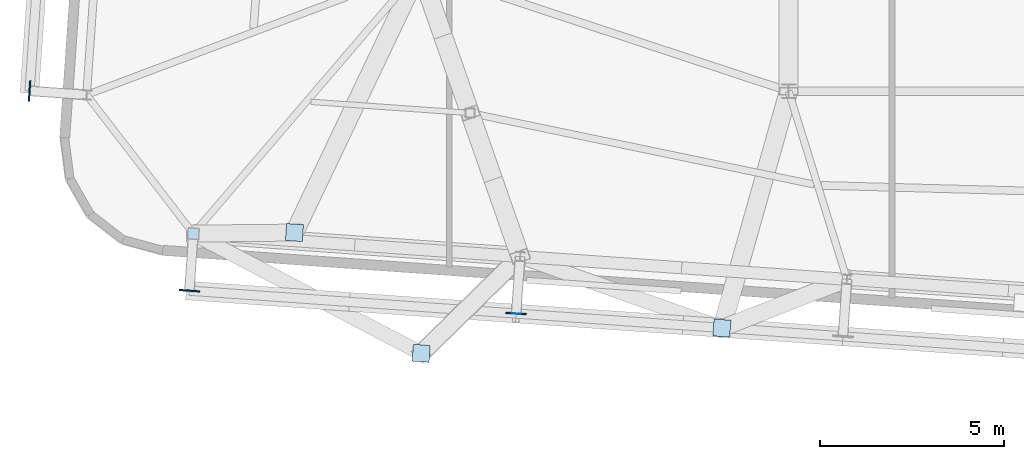
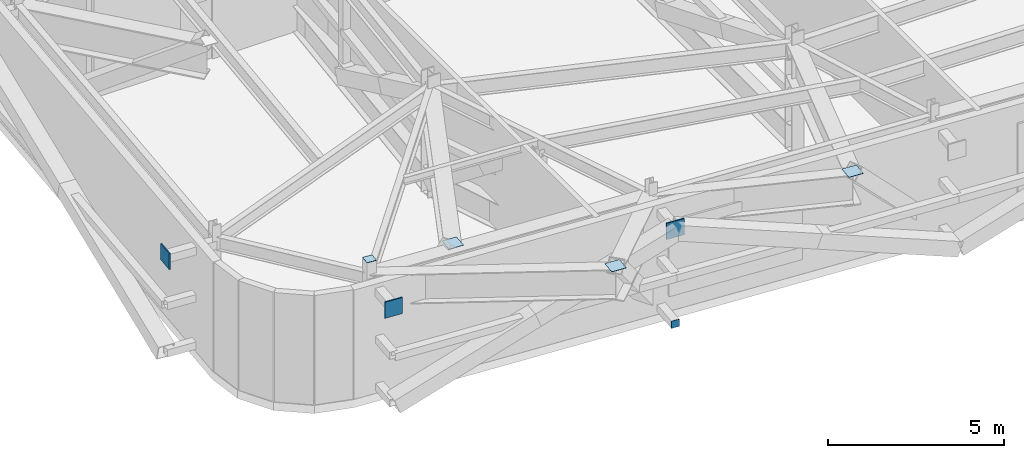
# One storey, part 13 of 24: 8 plates.
"""IFC4 building model written with IfcOpenShell, lengths in metres."""

from ifc_helpers import new_model, si_unit, direction, frame, origin, origin_2d, place, context, subcontext, project, spatial, rectangle, extrude, source, transform, mapped, material, layer, layer_set, type_object, element, save


model = new_model("IFC4")

# Units and contexts
model_context = context("Model", 3, precision=1e-05, world=origin(), true_north=direction((0.0, 1.0)))
body_context = subcontext(model_context, "Body", "Model", "MODEL_VIEW")
ifc_project = project(units=[si_unit("LENGTHUNIT", "METRE"), si_unit("AREAUNIT", "SQUARE_METRE"), si_unit("VOLUMEUNIT", "CUBIC_METRE"), si_unit("PLANEANGLEUNIT", "RADIAN"), si_unit("MASSUNIT", "GRAM", prefix="KILO")], contexts=[model_context])

# Site, building, storey
site_placement = place(None, origin())
site = spatial("IfcSite", under=ifc_project, at=site_placement, CompositionType="ELEMENT")
building_placement = place(site_placement, origin())
building = spatial("IfcBuilding", under=site, at=building_placement, Name="Taldren Reach Tower", CompositionType="ELEMENT")
storey_placement = place(building_placement, frame((0.0, 0.0, 164.5)))
storey = spatial("IfcBuildingStorey", under=building, at=storey_placement, Name="L50", CompositionType="ELEMENT", Elevation=164.5)

# Plates
ifc_material_1 = material(Name="Steel Gr 450 (C450L0)", Category="steel")
ifc_layer_1 = layer(ifc_material_1, 0.0400390625)
ifc_layer_set_1 = layer_set([ifc_layer_1], Name="Steel Gr 450 (C450L0)")
plate_type_1 = type_object("IfcPlateType", Name="PL-GUSSET-40", PredefinedType="SHEET", material=ifc_layer_set_1)
shared_shape_1 = source(origin(), body_context, "Body", "SweptSolid", [
    extrude(rectangle(XDim=0.56005859375, YDim=0.0400390625, at=origin_2d()), origin(), (0.0, 0.0, 1.0), 0.56005859375),
])
for number, where, z_axis, x_axis, name in (
    (1, (11.75537109375, 3.792236328125, 3.219970703125), (0.0, 0.0, 1.0), (0.99756405026, -0.069756473744, 0.0), "Exoskeleton star-node gusset plate B3-S1 L50"),
    (2, (20.61376953125, 3.1728515625, 3.219970703125), (0.0, 0.0, 1.0), (0.99756405026, -0.069756473744, 0.0), "Exoskeleton star-node gusset plate B3-S2 L50"),
    (3, (7.422607421875, 9.20751953125, 3.219970703125), (0.0, 0.0, 1.0), (0.069756473744, 0.99756405026, 0.0), "Exoskeleton star-node gusset plate B3-W1 L50"),
):
    element("IfcPlate", number, at=place(storey_placement, frame(where, z_axis=z_axis, x_axis=x_axis)), inside=storey, type_object=plate_type_1, Name=name, PredefinedType="SHEET", context=body_context, shape_type="MappedRepresentation", body=[
        mapped(shared_shape_1, transform((0.0, 0.0, 0.0), scale=1.0)),
    ])
ifc_material_2 = material(Name="Steel Gr 350 (C350L0)", Category="steel")
ifc_layer_2 = layer(ifc_material_2, 0.011962890625)
ifc_layer_set_2 = layer_set([ifc_layer_2], Name="Steel Gr 350 (C350L0)")
plate_type_2 = type_object("IfcPlateType", Name="PL-CAP-250", PredefinedType="SHEET", material=ifc_layer_set_2)
shared_shape_2 = source(origin(), body_context, "Body", "SweptSolid", [
    extrude(rectangle(XDim=0.25, YDim=0.011962890625, at=origin_2d()), origin(), (0.0, 0.0, 1.0), 0.25),
])
plate_1_placement = place(storey_placement, frame((20.61328125, 3.166748046875, 0.094970703125), z_axis=(0.0, 0.0, 1.0), x_axis=(0.99756405026, -0.069756473744, 0.0)))
element("IfcPlate", 4, at=plate_1_placement, inside=storey, type_object=plate_type_2, Name="Tie strut end cap plate B3-S2 L50", PredefinedType="SHEET", context=body_context, shape_type="MappedRepresentation", body=[
    mapped(shared_shape_2, transform((0.0, 0.0, 0.0), scale=1.0)),
])
ifc_layer_3 = layer(ifc_material_1, 0.011962890625)
ifc_layer_set_3 = layer_set([ifc_layer_3], Name="Steel Gr 450 (C450L0)")
plate_type_3 = type_object("IfcPlateType", Name="PL-CAP-460", PredefinedType="SHEET", material=ifc_layer_set_3)
shared_shape_3 = source(origin(), body_context, "Body", "SweptSolid", [
    extrude(rectangle(XDim=0.4599609375, YDim=0.4599609375, at=origin_2d()), origin(), (0.0, 0.0, 1.0), 0.011962890625),
])
for number, where, z_axis, x_axis, name in (
    (5, (18.03955078125, 2.093994140625, 3.76806640625), (0.0, 0.0, 1.0), (0.99756405026, -0.069756473744, 0.0), "Transfer strut end cap plate TS-B4-S1 L50"),
    (6, (26.19091796875, 2.778564453125, 3.76806640625), (0.0, 0.0, 1.0), (0.99756405026, -0.069756473744, 0.0), "Transfer strut end cap plate TS-B4-S2 L50"),
    (7, (14.603759765625, 5.367919921875, 3.76806640625), (0.0, 0.0, 1.0), (0.99756405026, -0.069756473744, 0.0), "Transfer strut end cap plate TS-B4-W1 L50"),
):
    element("IfcPlate", number, at=place(storey_placement, frame(where, z_axis=z_axis, x_axis=x_axis)), inside=storey, type_object=plate_type_3, Name=name, PredefinedType="SHEET", context=body_context, shape_type="MappedRepresentation", body=[
        mapped(shared_shape_3, transform((0.0, 0.0, 0.0), scale=1.0)),
    ])
ifc_layer_4 = layer(ifc_material_1, 0.011962890625)
ifc_layer_set_4 = layer_set([ifc_layer_4], Name="Steel Gr 450 (C450L0)")
plate_type_4 = type_object("IfcPlateType", Name="PL-CAP-300", PredefinedType="SHEET", material=ifc_layer_set_4)
shared_shape_4 = source(origin(), body_context, "Body", "SweptSolid", [
    extrude(rectangle(XDim=0.300048828125, YDim=0.300048828125, at=origin_2d()), origin(), (0.0, 0.0, 1.0), 0.011962890625),
])
plate_2_placement = place(storey_placement, frame((11.863525390625, 5.33837890625, 4.2001953125), z_axis=(0.0, 0.0, 1.0), x_axis=(0.99756405026, -0.069756473744, 0.0)))
element("IfcPlate", 8, at=plate_2_placement, inside=storey, type_object=plate_type_4, Name="Perimeter column end cap plate B3-S1 L50", PredefinedType="SHEET", context=body_context, shape_type="MappedRepresentation", body=[
    mapped(shared_shape_4, transform((0.0, 0.0, 0.0), scale=1.0)),
])

save(model, "model.ifc")
